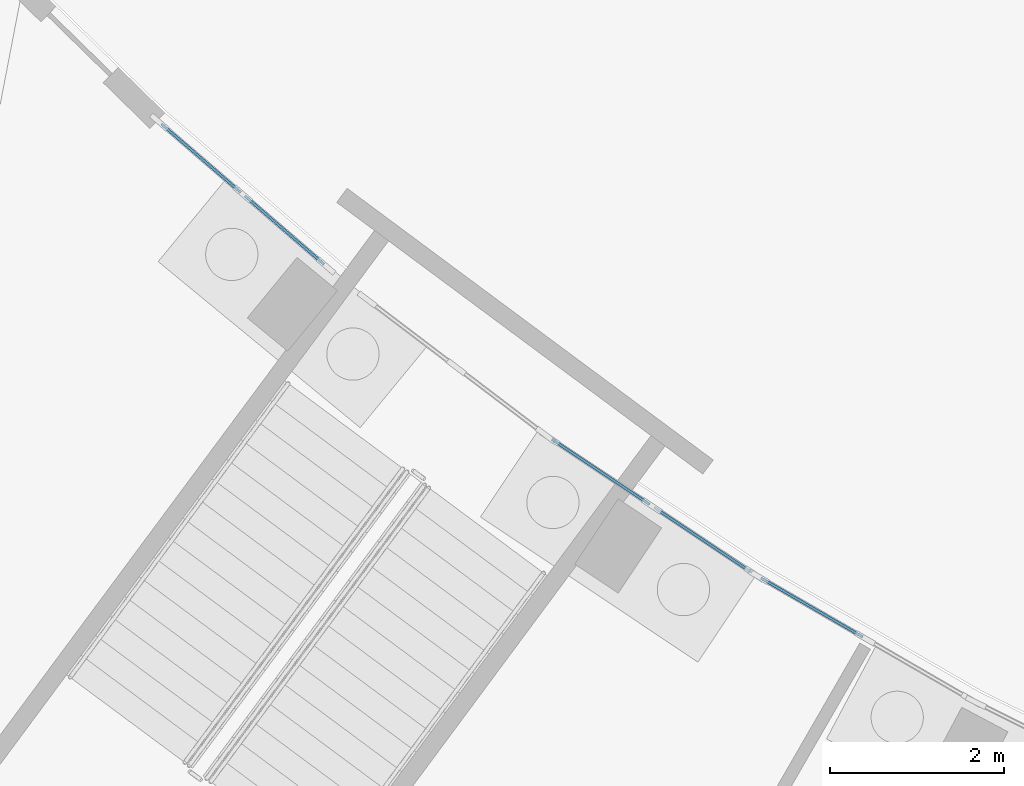
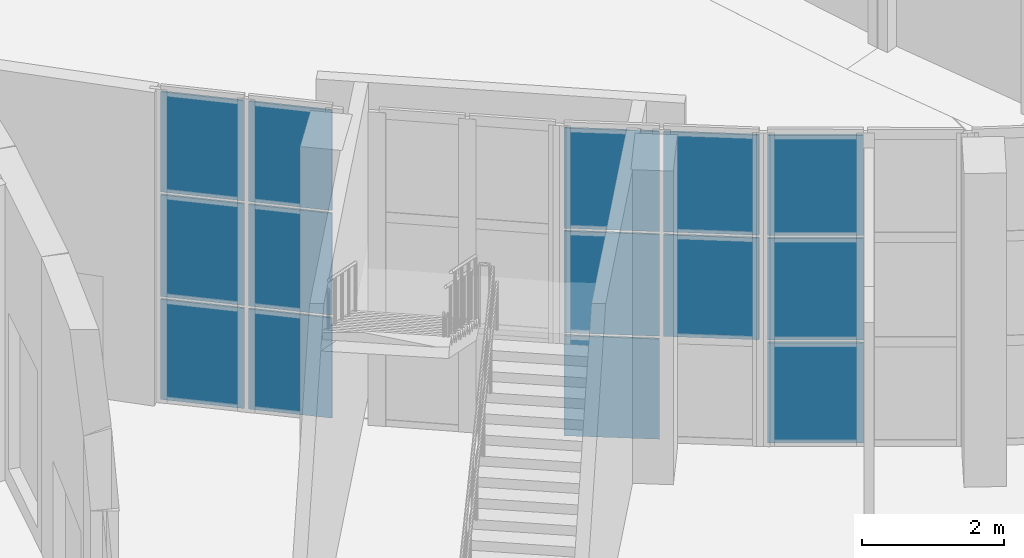
# One storey, part 29 of 82: 14 plates, 3 elements without a shape of their own.
"""IFC4 building model written with IfcOpenShell, lengths in metres."""

from ifc_helpers import new_model, si_unit, direction, frame, origin, origin_2d, place, context, subcontext, project, spatial, rectangle, extrude, material, layer, layer_set, type_object, element, aggregate, save


model = new_model("IFC4")

# Units and contexts
model_context = context("Model", 3, precision=1e-05, world=origin(), true_north=direction((0.0, 1.0)))
body_context = subcontext(model_context, "Body", "Model", "MODEL_VIEW")
ifc_project = project(units=[si_unit("LENGTHUNIT", "METRE"), si_unit("AREAUNIT", "SQUARE_METRE"), si_unit("VOLUMEUNIT", "CUBIC_METRE"), si_unit("PLANEANGLEUNIT", "RADIAN"), si_unit("MASSUNIT", "GRAM", prefix="KILO")], contexts=[model_context])

# Site, building, storey
site_placement = place(None, origin())
site = spatial("IfcSite", under=ifc_project, at=site_placement, CompositionType="ELEMENT")
building_placement = place(site_placement, origin())
building = spatial("IfcBuilding", under=site, at=building_placement, Name="Tide Square Theatres", CompositionType="ELEMENT")
storey_placement = place(building_placement, origin())
storey = spatial("IfcBuildingStorey", under=building, at=storey_placement, Name="L00", CompositionType="ELEMENT", Elevation=0.0)

# Curtain wall, plates
ifc_material_1 = material(Name="Aluminium 6063-T5", Category="aluminium")
curtain_wall_type = type_object("IfcCurtainWallType", Name="Unitised system curtain wall 5400 high", PredefinedType="USERDEFINED", material=ifc_material_1)
curtain_wall_1_placement = place(storey_placement, origin())
curtain_wall_1 = element("IfcCurtainWall", 1, at=curtain_wall_1_placement, inside=storey, type_object=curtain_wall_type, Name="Foyer inner curtain wall", ObjectType="UNITISED SYSTEM", PredefinedType="USERDEFINED")
ifc_material_2 = material(Name="Double-glazed unit with aluminium frame", Category="aluminium")
ifc_layer = layer(ifc_material_2, 0.030029296875)
ifc_layer_set = layer_set([ifc_layer], Name="Double-glazed unit with aluminium frame")
plate_type = type_object("IfcPlateType", Name="Curtain wall panel 30 thick", PredefinedType="CURTAIN_PANEL", material=ifc_layer_set)
plate_1_placement = place(storey_placement, frame((60.298828125, 28.4501953125, 0.050048828125), z_axis=(0.0, 0.0, 1.0), x_axis=(-0.865525313117, 0.500865183811, 0.0)))
plate_1 = element("IfcPlate", 2, at=plate_1_placement, type_object=plate_type, Name="CW-01 panel 2.1", PredefinedType="CURTAIN_PANEL", context=body_context, shape_type="SweptSolid", body=[
    extrude(rectangle(XDim=1.35009765625, YDim=0.030029296875, at=origin_2d()), origin(), (0.0, 0.0, 1.0), 1.72509765625),
])
plate_2_placement = place(storey_placement, frame((60.298828125, 28.4501953125, 1.824951171875), z_axis=(0.0, 0.0, 1.0), x_axis=(-0.865525313117, 0.500865183811, 0.0)))
plate_2 = element("IfcPlate", 3, at=plate_2_placement, type_object=plate_type, Name="CW-01 panel 2.2", PredefinedType="CURTAIN_PANEL", context=body_context, shape_type="SweptSolid", body=[
    extrude(rectangle(XDim=1.35009765625, YDim=0.030029296875, at=origin_2d()), origin(), (0.0, 0.0, 1.0), 1.75),
])
plate_3_placement = place(storey_placement, frame((60.298828125, 28.4501953125, 3.625), z_axis=(0.0, 0.0, 1.0), x_axis=(-0.865525313117, 0.500865183811, 0.0)))
plate_3 = element("IfcPlate", 4, at=plate_3_placement, type_object=plate_type, Name="CW-01 panel 2.3", PredefinedType="CURTAIN_PANEL", context=body_context, shape_type="SweptSolid", body=[
    extrude(rectangle(XDim=1.35009765625, YDim=0.030029296875, at=origin_2d()), origin(), (0.0, 0.0, 1.0), 1.72509765625),
])
aggregate(curtain_wall_1, [plate_1, plate_2, plate_3])

curtain_wall_2_placement = place(storey_placement, origin())
curtain_wall_2 = element("IfcCurtainWall", 5, at=curtain_wall_2_placement, inside=storey, type_object=curtain_wall_type, Name="Foyer inner curtain wall", ObjectType="UNITISED SYSTEM", PredefinedType="USERDEFINED")
plate_4_placement = place(storey_placement, frame((59.050537109375, 29.225341796875, 1.824951171875), z_axis=(0.0, 0.0, 1.0), x_axis=(-0.832573386939, 0.553914754598, 0.0)))
plate_4 = element("IfcPlate", 6, at=plate_4_placement, type_object=plate_type, Name="CW-01 panel 1.2", PredefinedType="CURTAIN_PANEL", context=body_context, shape_type="SweptSolid", body=[
    extrude(rectangle(XDim=1.35009765625, YDim=0.030029296875, at=origin_2d()), origin(), (0.0, 0.0, 1.0), 1.75),
])
plate_5_placement = place(storey_placement, frame((59.050537109375, 29.225341796875, 3.625), z_axis=(0.0, 0.0, 1.0), x_axis=(-0.832573386939, 0.553914754598, 0.0)))
plate_5 = element("IfcPlate", 7, at=plate_5_placement, type_object=plate_type, Name="CW-01 panel 1.3", PredefinedType="CURTAIN_PANEL", context=body_context, shape_type="SweptSolid", body=[
    extrude(rectangle(XDim=1.35009765625, YDim=0.030029296875, at=origin_2d()), origin(), (0.0, 0.0, 1.0), 1.72509765625),
])
plate_6_placement = place(storey_placement, frame((57.87646484375, 30.006591796875, 0.050048828125), z_axis=(0.0, 0.0, 1.0), x_axis=(-0.832573386939, 0.553914754598, 0.0)))
plate_6 = element("IfcPlate", 8, at=plate_6_placement, type_object=plate_type, Name="CW-01 panel 2.1", PredefinedType="CURTAIN_PANEL", context=body_context, shape_type="SweptSolid", body=[
    extrude(rectangle(XDim=1.35009765625, YDim=0.030029296875, at=origin_2d()), origin(), (0.0, 0.0, 1.0), 1.72509765625),
])
plate_7_placement = place(storey_placement, frame((57.87646484375, 30.006591796875, 1.824951171875), z_axis=(0.0, 0.0, 1.0), x_axis=(-0.832573386939, 0.553914754598, 0.0)))
plate_7 = element("IfcPlate", 9, at=plate_7_placement, type_object=plate_type, Name="CW-01 panel 2.2", PredefinedType="CURTAIN_PANEL", context=body_context, shape_type="SweptSolid", body=[
    extrude(rectangle(XDim=1.35009765625, YDim=0.030029296875, at=origin_2d()), origin(), (0.0, 0.0, 1.0), 1.75),
])
plate_8_placement = place(storey_placement, frame((57.87646484375, 30.006591796875, 3.625), z_axis=(0.0, 0.0, 1.0), x_axis=(-0.832573386939, 0.553914754598, 0.0)))
plate_8 = element("IfcPlate", 10, at=plate_8_placement, type_object=plate_type, Name="CW-01 panel 2.3", PredefinedType="CURTAIN_PANEL", context=body_context, shape_type="SweptSolid", body=[
    extrude(rectangle(XDim=1.35009765625, YDim=0.030029296875, at=origin_2d()), origin(), (0.0, 0.0, 1.0), 1.72509765625),
])
aggregate(curtain_wall_2, [plate_4, plate_5, plate_6, plate_7, plate_8])

curtain_wall_3_placement = place(storey_placement, origin())
curtain_wall_3 = element("IfcCurtainWall", 11, at=curtain_wall_3_placement, inside=storey, type_object=curtain_wall_type, Name="Foyer inner curtain wall", ObjectType="UNITISED SYSTEM", PredefinedType="USERDEFINED")
plate_9_placement = place(storey_placement, frame((54.246826171875, 32.7802734375, 0.050048828125), z_axis=(0.0, 0.0, 1.0), x_axis=(-0.75708995328, 0.653310647886, 0.0)))
plate_9 = element("IfcPlate", 12, at=plate_9_placement, type_object=plate_type, Name="CW-01 panel 1.1", PredefinedType="CURTAIN_PANEL", context=body_context, shape_type="SweptSolid", body=[
    extrude(rectangle(XDim=1.20263671875, YDim=0.030029296875, at=origin_2d()), origin(), (0.0, 0.0, 1.0), 1.72509765625),
])
plate_10_placement = place(storey_placement, frame((54.246826171875, 32.7802734375, 1.824951171875), z_axis=(0.0, 0.0, 1.0), x_axis=(-0.75708995328, 0.653310647886, 0.0)))
plate_10 = element("IfcPlate", 13, at=plate_10_placement, type_object=plate_type, Name="CW-01 panel 1.2", PredefinedType="CURTAIN_PANEL", context=body_context, shape_type="SweptSolid", body=[
    extrude(rectangle(XDim=1.20263671875, YDim=0.030029296875, at=origin_2d()), origin(), (0.0, 0.0, 1.0), 1.75),
])
plate_11_placement = place(storey_placement, frame((54.246826171875, 32.7802734375, 3.625), z_axis=(0.0, 0.0, 1.0), x_axis=(-0.75708995328, 0.653310647886, 0.0)))
plate_11 = element("IfcPlate", 14, at=plate_11_placement, type_object=plate_type, Name="CW-01 panel 1.3", PredefinedType="CURTAIN_PANEL", context=body_context, shape_type="SweptSolid", body=[
    extrude(rectangle(XDim=1.20263671875, YDim=0.030029296875, at=origin_2d()), origin(), (0.0, 0.0, 1.0), 1.72509765625),
])
plate_12_placement = place(storey_placement, frame((53.290771484375, 33.605224609375, 0.050048828125), z_axis=(0.0, 0.0, 1.0), x_axis=(-0.75708995328, 0.653310647886, 0.0)))
plate_12 = element("IfcPlate", 15, at=plate_12_placement, type_object=plate_type, Name="CW-01 panel 2.1", PredefinedType="CURTAIN_PANEL", context=body_context, shape_type="SweptSolid", body=[
    extrude(rectangle(XDim=1.20263671875, YDim=0.030029296875, at=origin_2d()), origin(), (0.0, 0.0, 1.0), 1.72509765625),
])
plate_13_placement = place(storey_placement, frame((53.290771484375, 33.605224609375, 1.824951171875), z_axis=(0.0, 0.0, 1.0), x_axis=(-0.75708995328, 0.653310647886, 0.0)))
plate_13 = element("IfcPlate", 16, at=plate_13_placement, type_object=plate_type, Name="CW-01 panel 2.2", PredefinedType="CURTAIN_PANEL", context=body_context, shape_type="SweptSolid", body=[
    extrude(rectangle(XDim=1.20263671875, YDim=0.030029296875, at=origin_2d()), origin(), (0.0, 0.0, 1.0), 1.75),
])
plate_14_placement = place(storey_placement, frame((53.290771484375, 33.605224609375, 3.625), z_axis=(0.0, 0.0, 1.0), x_axis=(-0.75708995328, 0.653310647886, 0.0)))
plate_14 = element("IfcPlate", 17, at=plate_14_placement, type_object=plate_type, Name="CW-01 panel 2.3", PredefinedType="CURTAIN_PANEL", context=body_context, shape_type="SweptSolid", body=[
    extrude(rectangle(XDim=1.20263671875, YDim=0.030029296875, at=origin_2d()), origin(), (0.0, 0.0, 1.0), 1.72509765625),
])
aggregate(curtain_wall_3, [plate_9, plate_10, plate_11, plate_12, plate_13, plate_14])

save(model, "model.ifc")
